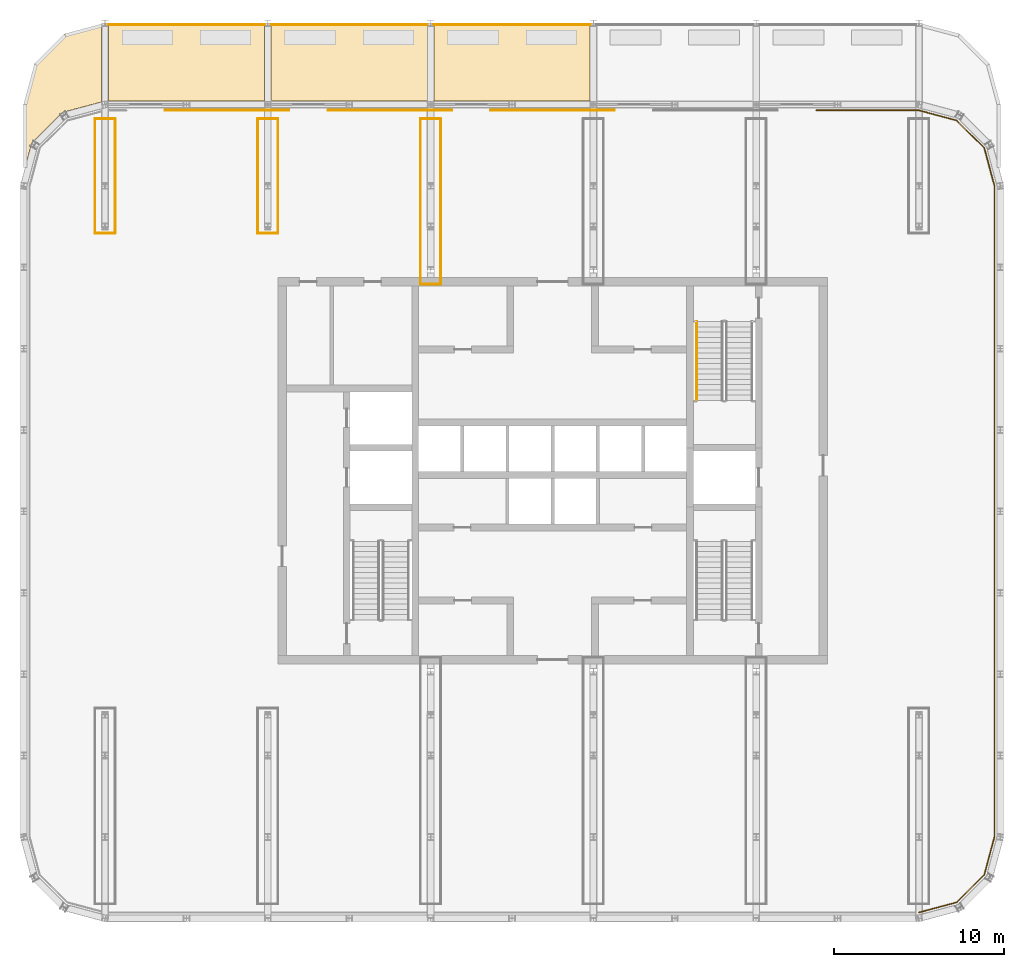
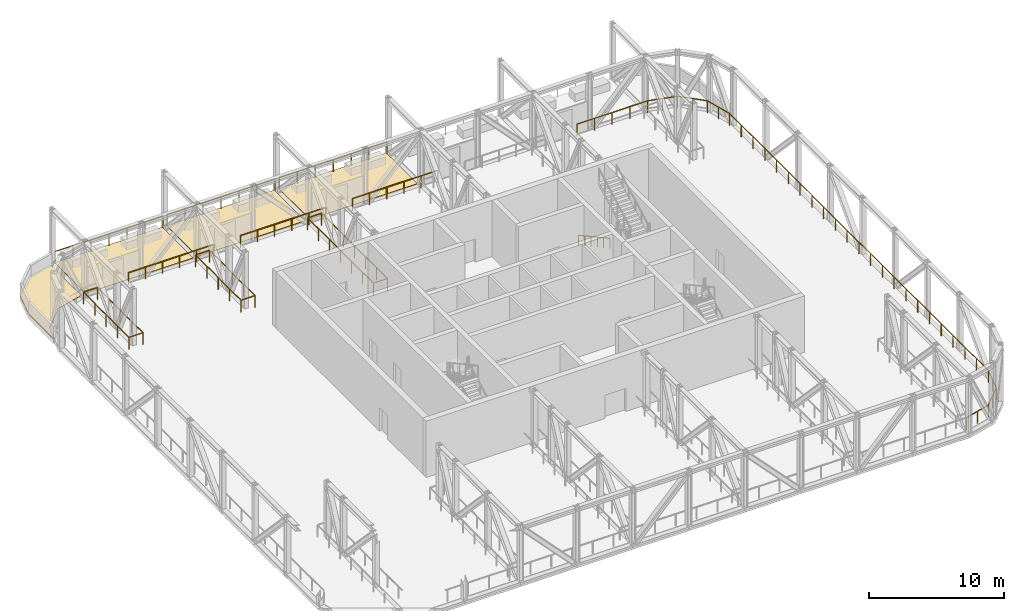
# One storey, part 14 of 16: 20 railings, 4 coverings.
"""IFC4 building model written with IfcOpenShell, lengths in metres."""

from ifc_helpers import new_model, si_unit, direction, frame, origin, origin_2d, place, context, subcontext, project, spatial, polyline, circle, outline, extrude, material, layer, layer_set, type_object, element, save


model = new_model("IFC4")

# Units and contexts
model_context = context("Model", 3, precision=1e-05, world=origin(), true_north=direction((0.0, 1.0)))
body_context = subcontext(model_context, "Body", "Model", "MODEL_VIEW")
ifc_project = project(units=[si_unit("LENGTHUNIT", "METRE"), si_unit("AREAUNIT", "SQUARE_METRE"), si_unit("VOLUMEUNIT", "CUBIC_METRE"), si_unit("PLANEANGLEUNIT", "RADIAN"), si_unit("MASSUNIT", "GRAM", prefix="KILO")], contexts=[model_context])

# Site, building, storey
site_placement = place(None, origin())
site = spatial("IfcSite", under=ifc_project, at=site_placement, CompositionType="ELEMENT")
building_placement = place(site_placement, origin())
building = spatial("IfcBuilding", under=site, at=building_placement, Name="Madar Terraces", CompositionType="ELEMENT")
storey_placement = place(building_placement, frame((0.0, 0.0, 263.199951171875)))
storey = spatial("IfcBuildingStorey", under=building, at=storey_placement, Name="L69", CompositionType="ELEMENT", Elevation=263.199951171875)

# Railings
ifc_material_1 = material(Name="Glass, safety glazing, with stainless steel posts", Category="steel")
railing_type_1 = type_object("IfcRailingType", Name="Balcony glass guard 1100", PredefinedType="GUARDRAIL", material=ifc_material_1)
railing_1_placement = place(storey_placement, frame((52.800048828125, 0.34814453125, 0.0)))
element("IfcRailing", 1, at=railing_1_placement, inside=storey, type_object=railing_type_1, Name="Gallery guard", PredefinedType="GUARDRAIL", context=body_context, shape_type="SweptSolid", body=[
    extrude(circle(Radius=0.02392578125, at=origin_2d()), frame((0.0, 0.0, 1.076171875), z_axis=(0.965922986505, 0.258829643088, 0.0), x_axis=(-0.258829643088, 0.965922986505, 0.0)), (0.0, 0.0, 1.0), 2.304443359375),
    extrude(circle(Radius=0.02392578125, at=origin_2d()), frame((2.225830078125, 0.596435546875, 1.076171875), z_axis=(0.707106781187, 0.707106781187, 0.0), x_axis=(-0.707106781187, 0.707106781187, 0.0)), (0.0, 0.0, 1.0), 2.3046875),
    extrude(circle(Radius=0.02392578125, at=origin_2d()), frame((3.85546875, 2.22607421875, 1.076171875), z_axis=(0.258829643088, 0.965922986505, 0.0), x_axis=(-0.965922986505, 0.258829643088, 0.0)), (0.0, 0.0, 1.0), 2.304443359375),
    extrude(circle(Radius=0.02392578125, at=origin_2d()), frame((4.451904296875, 4.451904296875, 1.076171875), z_axis=(0.0, 1.0, 0.0), x_axis=(-1.0, 0.0, 0.0)), (0.0, 0.0, 1.0), 38.39990234375),
    extrude(circle(Radius=0.02392578125, at=origin_2d()), frame((4.451904296875, 42.851806640625, 1.076171875), z_axis=(-0.258829643088, 0.965922986505, 0.0), x_axis=(-0.965922986505, -0.258829643088, 0.0)), (0.0, 0.0, 1.0), 2.304443359375),
    extrude(circle(Radius=0.02392578125, at=origin_2d()), frame((3.85546875, 45.07763671875, 1.076171875), z_axis=(-0.707106781187, 0.707106781187, 0.0), x_axis=(-0.707106781187, -0.707106781187, 0.0)), (0.0, 0.0, 1.0), 2.3046875),
    extrude(circle(Radius=0.02392578125, at=origin_2d()), frame((2.225830078125, 46.707275390625, 1.076171875), z_axis=(-0.965922986505, 0.258829643088, 0.0), x_axis=(-0.258829643088, -0.965922986505, 0.0)), (0.0, 0.0, 1.0), 2.304443359375),
    extrude(circle(Radius=0.02392578125, at=origin_2d()), frame((0.0, 47.3037109375, 1.076171875), z_axis=(-1.0, 0.0, 0.0), x_axis=(0.0, -1.0, 0.0)), (0.0, 0.0, 1.0), 6.0517578125),
    extrude(circle(Radius=0.02099609375, at=origin_2d()), origin(), (0.0, 0.0, 1.0), 1.052001953125),
    extrude(circle(Radius=0.02099609375, at=origin_2d()), frame((1.11279296875, 0.29833984375, 0.0)), (0.0, 0.0, 1.0), 1.052001953125),
    extrude(circle(Radius=0.02099609375, at=origin_2d()), frame((2.225830078125, 0.596435546875, 0.0)), (0.0, 0.0, 1.0), 1.052001953125),
    extrude(circle(Radius=0.02099609375, at=origin_2d()), frame((3.04052734375, 1.4111328125, 0.0)), (0.0, 0.0, 1.0), 1.052001953125),
    extrude(circle(Radius=0.02099609375, at=origin_2d()), frame((3.85546875, 2.22607421875, 0.0)), (0.0, 0.0, 1.0), 1.052001953125),
    extrude(circle(Radius=0.02099609375, at=origin_2d()), frame((4.15380859375, 3.3388671875, 0.0)), (0.0, 0.0, 1.0), 1.052001953125),
    extrude(circle(Radius=0.02099609375, at=origin_2d()), frame((4.451904296875, 4.451904296875, 0.0)), (0.0, 0.0, 1.0), 1.052001953125),
    extrude(circle(Radius=0.02099609375, at=origin_2d()), frame((4.451904296875, 6.197265625, 0.0)), (0.0, 0.0, 1.0), 1.052001953125),
    extrude(circle(Radius=0.02099609375, at=origin_2d()), frame((4.451904296875, 7.94287109375, 0.0)), (0.0, 0.0, 1.0), 1.052001953125),
    extrude(circle(Radius=0.02099609375, at=origin_2d()), frame((4.451904296875, 9.688232421875, 0.0)), (0.0, 0.0, 1.0), 1.052001953125),
    extrude(circle(Radius=0.02099609375, at=origin_2d()), frame((4.451904296875, 11.43359375, 0.0)), (0.0, 0.0, 1.0), 1.052001953125),
    extrude(circle(Radius=0.02099609375, at=origin_2d()), frame((4.451904296875, 13.17919921875, 0.0)), (0.0, 0.0, 1.0), 1.052001953125),
    extrude(circle(Radius=0.02099609375, at=origin_2d()), frame((4.451904296875, 14.924560546875, 0.0)), (0.0, 0.0, 1.0), 1.052001953125),
    extrude(circle(Radius=0.02099609375, at=origin_2d()), frame((4.451904296875, 16.670166015625, 0.0)), (0.0, 0.0, 1.0), 1.052001953125),
    extrude(circle(Radius=0.02099609375, at=origin_2d()), frame((4.451904296875, 18.41552734375, 0.0)), (0.0, 0.0, 1.0), 1.052001953125),
    extrude(circle(Radius=0.02099609375, at=origin_2d()), frame((4.451904296875, 20.160888671875, 0.0)), (0.0, 0.0, 1.0), 1.052001953125),
    extrude(circle(Radius=0.02099609375, at=origin_2d()), frame((4.451904296875, 21.906494140625, 0.0)), (0.0, 0.0, 1.0), 1.052001953125),
    extrude(circle(Radius=0.02099609375, at=origin_2d()), frame((4.451904296875, 23.65185546875, 0.0)), (0.0, 0.0, 1.0), 1.052001953125),
    extrude(circle(Radius=0.02099609375, at=origin_2d()), frame((4.451904296875, 25.397216796875, 0.0)), (0.0, 0.0, 1.0), 1.052001953125),
    extrude(circle(Radius=0.02099609375, at=origin_2d()), frame((4.451904296875, 27.142822265625, 0.0)), (0.0, 0.0, 1.0), 1.052001953125),
    extrude(circle(Radius=0.02099609375, at=origin_2d()), frame((4.451904296875, 28.88818359375, 0.0)), (0.0, 0.0, 1.0), 1.052001953125),
    extrude(circle(Radius=0.02099609375, at=origin_2d()), frame((4.451904296875, 30.633544921875, 0.0)), (0.0, 0.0, 1.0), 1.052001953125),
    extrude(circle(Radius=0.02099609375, at=origin_2d()), frame((4.451904296875, 32.379150390625, 0.0)), (0.0, 0.0, 1.0), 1.052001953125),
    extrude(circle(Radius=0.02099609375, at=origin_2d()), frame((4.451904296875, 34.12451171875, 0.0)), (0.0, 0.0, 1.0), 1.052001953125),
    extrude(circle(Radius=0.02099609375, at=origin_2d()), frame((4.451904296875, 35.8701171875, 0.0)), (0.0, 0.0, 1.0), 1.052001953125),
    extrude(circle(Radius=0.02099609375, at=origin_2d()), frame((4.451904296875, 37.615478515625, 0.0)), (0.0, 0.0, 1.0), 1.052001953125),
    extrude(circle(Radius=0.02099609375, at=origin_2d()), frame((4.451904296875, 39.36083984375, 0.0)), (0.0, 0.0, 1.0), 1.052001953125),
    extrude(circle(Radius=0.02099609375, at=origin_2d()), frame((4.451904296875, 41.1064453125, 0.0)), (0.0, 0.0, 1.0), 1.052001953125),
    extrude(circle(Radius=0.02099609375, at=origin_2d()), frame((4.451904296875, 42.851806640625, 0.0)), (0.0, 0.0, 1.0), 1.052001953125),
    extrude(circle(Radius=0.02099609375, at=origin_2d()), frame((4.15380859375, 43.96484375, 0.0)), (0.0, 0.0, 1.0), 1.052001953125),
    extrude(circle(Radius=0.02099609375, at=origin_2d()), frame((3.85546875, 45.07763671875, 0.0)), (0.0, 0.0, 1.0), 1.052001953125),
    extrude(circle(Radius=0.02099609375, at=origin_2d()), frame((3.04052734375, 45.892578125, 0.0)), (0.0, 0.0, 1.0), 1.052001953125),
    extrude(circle(Radius=0.02099609375, at=origin_2d()), frame((2.225830078125, 46.707275390625, 0.0)), (0.0, 0.0, 1.0), 1.052001953125),
    extrude(circle(Radius=0.02099609375, at=origin_2d()), frame((1.11279296875, 47.00537109375, 0.0)), (0.0, 0.0, 1.0), 1.052001953125),
    extrude(circle(Radius=0.02099609375, at=origin_2d()), frame((0.0, 47.3037109375, 0.0)), (0.0, 0.0, 1.0), 1.052001953125),
    extrude(circle(Radius=0.02099609375, at=origin_2d()), frame((-1.512939453125, 47.3037109375, 0.0)), (0.0, 0.0, 1.0), 1.052001953125),
    extrude(circle(Radius=0.02099609375, at=origin_2d()), frame((-3.02587890625, 47.3037109375, 0.0)), (0.0, 0.0, 1.0), 1.052001953125),
    extrude(circle(Radius=0.02099609375, at=origin_2d()), frame((-4.538818359375, 47.3037109375, 0.0)), (0.0, 0.0, 1.0), 1.052001953125),
    extrude(circle(Radius=0.02099609375, at=origin_2d()), frame((-6.0517578125, 47.3037109375, 0.0)), (0.0, 0.0, 1.0), 1.052001953125),
])
for number, where, name in (
    (2, (34.8515625, 47.65185546875, 0.0), "Gallery guard"),
    (3, (25.251708984375, 47.65185546875, 0.0), "Gallery guard"),
    (4, (15.651611328125, 47.65185546875, 0.0), "Gallery guard"),
):
    element("IfcRailing", number, at=place(storey_placement, frame(where)), inside=storey, type_object=railing_type_1, Name=name, PredefinedType="GUARDRAIL", context=body_context, shape_type="SweptSolid", body=[
        extrude(circle(Radius=0.02392578125, at=origin_2d()), frame((0.0, 0.0, 1.076171875), z_axis=(-1.0, 0.0, 0.0), x_axis=(0.0, -1.0, 0.0)), (0.0, 0.0, 1.0), 7.30322265625),
        extrude(circle(Radius=0.02099609375, at=origin_2d()), origin(), (0.0, 0.0, 1.0), 1.052001953125),
        extrude(circle(Radius=0.02099609375, at=origin_2d()), frame((-1.460693359375, 0.0, 0.0)), (0.0, 0.0, 1.0), 1.052001953125),
        extrude(circle(Radius=0.02099609375, at=origin_2d()), frame((-2.92138671875, 0.0, 0.0)), (0.0, 0.0, 1.0), 1.052001953125),
        extrude(circle(Radius=0.02099609375, at=origin_2d()), frame((-4.3818359375, 0.0, 0.0)), (0.0, 0.0, 1.0), 1.052001953125),
        extrude(circle(Radius=0.02099609375, at=origin_2d()), frame((-5.842529296875, 0.0, 0.0)), (0.0, 0.0, 1.0), 1.052001953125),
        extrude(circle(Radius=0.02099609375, at=origin_2d()), frame((-7.30322265625, 0.0, 0.0)), (0.0, 0.0, 1.0), 1.052001953125),
    ])
for number, where, name in (
    (5, (4.201904296875, 40.402099609375, 0.0), "Slot guard"),
    (6, (5.398193359375, 40.402099609375, 0.0), "Slot guard"),
):
    element("IfcRailing", number, at=place(storey_placement, frame(where)), inside=storey, type_object=railing_type_1, Name=name, PredefinedType="GUARDRAIL", context=body_context, shape_type="SweptSolid", body=[
        extrude(circle(Radius=0.02392578125, at=origin_2d()), frame((0.0, 0.0, 1.076171875), z_axis=(0.0, 1.0, 0.0), x_axis=(-1.0, 0.0, 0.0)), (0.0, 0.0, 1.0), 6.749755859375),
        extrude(circle(Radius=0.02099609375, at=origin_2d()), origin(), (0.0, 0.0, 1.0), 1.052001953125),
        extrude(circle(Radius=0.02099609375, at=origin_2d()), frame((0.0, 1.6875, 0.0)), (0.0, 0.0, 1.0), 1.052001953125),
        extrude(circle(Radius=0.02099609375, at=origin_2d()), frame((0.0, 3.375, 0.0)), (0.0, 0.0, 1.0), 1.052001953125),
        extrude(circle(Radius=0.02099609375, at=origin_2d()), frame((0.0, 5.062255859375, 0.0)), (0.0, 0.0, 1.0), 1.052001953125),
        extrude(circle(Radius=0.02099609375, at=origin_2d()), frame((0.0, 6.749755859375, 0.0)), (0.0, 0.0, 1.0), 1.052001953125),
    ])
for number, where, name in (
    (7, (4.201904296875, 40.402099609375, 0.0), "Slot guard"),
    (8, (4.201904296875, 47.15185546875, 0.0), "Slot guard"),
):
    element("IfcRailing", number, at=place(storey_placement, frame(where)), inside=storey, type_object=railing_type_1, Name=name, PredefinedType="GUARDRAIL", context=body_context, shape_type="SweptSolid", body=[
        extrude(circle(Radius=0.02392578125, at=origin_2d()), frame((0.0, 0.0, 1.076171875), z_axis=(1.0, 0.0, 0.0), x_axis=(0.0, 1.0, 0.0)), (0.0, 0.0, 1.0), 1.1962890625),
        extrude(circle(Radius=0.02099609375, at=origin_2d()), origin(), (0.0, 0.0, 1.0), 1.052001953125),
        extrude(circle(Radius=0.02099609375, at=origin_2d()), frame((1.1962890625, 0.0, 0.0)), (0.0, 0.0, 1.0), 1.052001953125),
    ])
for number, where, name in (
    (9, (13.802001953125, 40.402099609375, 0.0), "Slot guard"),
    (10, (14.998046875, 40.402099609375, 0.0), "Slot guard"),
):
    element("IfcRailing", number, at=place(storey_placement, frame(where)), inside=storey, type_object=railing_type_1, Name=name, PredefinedType="GUARDRAIL", context=body_context, shape_type="SweptSolid", body=[
        extrude(circle(Radius=0.02392578125, at=origin_2d()), frame((0.0, 0.0, 1.076171875), z_axis=(0.0, 1.0, 0.0), x_axis=(-1.0, 0.0, 0.0)), (0.0, 0.0, 1.0), 6.749755859375),
        extrude(circle(Radius=0.02099609375, at=origin_2d()), origin(), (0.0, 0.0, 1.0), 1.052001953125),
        extrude(circle(Radius=0.02099609375, at=origin_2d()), frame((0.0, 1.6875, 0.0)), (0.0, 0.0, 1.0), 1.052001953125),
        extrude(circle(Radius=0.02099609375, at=origin_2d()), frame((0.0, 3.375, 0.0)), (0.0, 0.0, 1.0), 1.052001953125),
        extrude(circle(Radius=0.02099609375, at=origin_2d()), frame((0.0, 5.062255859375, 0.0)), (0.0, 0.0, 1.0), 1.052001953125),
        extrude(circle(Radius=0.02099609375, at=origin_2d()), frame((0.0, 6.749755859375, 0.0)), (0.0, 0.0, 1.0), 1.052001953125),
    ])
for number, where, name in (
    (11, (13.802001953125, 40.402099609375, 0.0), "Slot guard"),
    (12, (13.802001953125, 47.15185546875, 0.0), "Slot guard"),
):
    element("IfcRailing", number, at=place(storey_placement, frame(where)), inside=storey, type_object=railing_type_1, Name=name, PredefinedType="GUARDRAIL", context=body_context, shape_type="SweptSolid", body=[
        extrude(circle(Radius=0.02392578125, at=origin_2d()), frame((0.0, 0.0, 1.076171875), z_axis=(1.0, 0.0, 0.0), x_axis=(0.0, 1.0, 0.0)), (0.0, 0.0, 1.0), 1.196044921875),
        extrude(circle(Radius=0.02099609375, at=origin_2d()), origin(), (0.0, 0.0, 1.0), 1.052001953125),
        extrude(circle(Radius=0.02099609375, at=origin_2d()), frame((1.196044921875, 0.0, 0.0)), (0.0, 0.0, 1.0), 1.052001953125),
    ])
for number, where, name in (
    (13, (23.40185546875, 37.402099609375, 0.0), "Slot guard"),
    (14, (24.59814453125, 37.402099609375, 0.0), "Slot guard"),
):
    element("IfcRailing", number, at=place(storey_placement, frame(where)), inside=storey, type_object=railing_type_1, Name=name, PredefinedType="GUARDRAIL", context=body_context, shape_type="SweptSolid", body=[
        extrude(circle(Radius=0.02392578125, at=origin_2d()), frame((0.0, 0.0, 1.076171875), z_axis=(0.0, 1.0, 0.0), x_axis=(-1.0, 0.0, 0.0)), (0.0, 0.0, 1.0), 9.749755859375),
        extrude(circle(Radius=0.02099609375, at=origin_2d()), origin(), (0.0, 0.0, 1.0), 1.052001953125),
        extrude(circle(Radius=0.02099609375, at=origin_2d()), frame((0.0, 1.625, 0.0)), (0.0, 0.0, 1.0), 1.052001953125),
        extrude(circle(Radius=0.02099609375, at=origin_2d()), frame((0.0, 3.25, 0.0)), (0.0, 0.0, 1.0), 1.052001953125),
        extrude(circle(Radius=0.02099609375, at=origin_2d()), frame((0.0, 4.875, 0.0)), (0.0, 0.0, 1.0), 1.052001953125),
        extrude(circle(Radius=0.02099609375, at=origin_2d()), frame((0.0, 6.499755859375, 0.0)), (0.0, 0.0, 1.0), 1.052001953125),
        extrude(circle(Radius=0.02099609375, at=origin_2d()), frame((0.0, 8.124755859375, 0.0)), (0.0, 0.0, 1.0), 1.052001953125),
        extrude(circle(Radius=0.02099609375, at=origin_2d()), frame((0.0, 9.749755859375, 0.0)), (0.0, 0.0, 1.0), 1.052001953125),
    ])
for number, where, name in (
    (15, (23.40185546875, 37.402099609375, 0.0), "Slot guard"),
    (16, (23.40185546875, 47.15185546875, 0.0), "Slot guard"),
):
    element("IfcRailing", number, at=place(storey_placement, frame(where)), inside=storey, type_object=railing_type_1, Name=name, PredefinedType="GUARDRAIL", context=body_context, shape_type="SweptSolid", body=[
        extrude(circle(Radius=0.02392578125, at=origin_2d()), frame((0.0, 0.0, 1.076171875), z_axis=(1.0, 0.0, 0.0), x_axis=(0.0, 1.0, 0.0)), (0.0, 0.0, 1.0), 1.1962890625),
        extrude(circle(Radius=0.02099609375, at=origin_2d()), origin(), (0.0, 0.0, 1.0), 1.052001953125),
        extrude(circle(Radius=0.02099609375, at=origin_2d()), frame((1.1962890625, 0.0, 0.0)), (0.0, 0.0, 1.0), 1.052001953125),
    ])
for number, where, name in (
    (17, (14.221923828125, 52.699951171875, 0.0400390625), "Terrace guard"),
    (18, (23.822021484375, 52.699951171875, 0.0400390625), "Terrace guard"),
    (19, (33.421875, 52.699951171875, 0.0400390625), "Terrace guard"),
):
    element("IfcRailing", number, at=place(storey_placement, frame(where)), inside=storey, type_object=railing_type_1, Name=name, PredefinedType="GUARDRAIL", context=body_context, shape_type="SweptSolid", body=[
        extrude(circle(Radius=0.02392578125, at=origin_2d()), frame((0.0, 0.0, 1.076171875), z_axis=(-1.0, 0.0, 0.0), x_axis=(0.0, -1.0, 0.0)), (0.0, 0.0, 1.0), 9.243896484375),
        extrude(circle(Radius=0.02099609375, at=origin_2d()), origin(), (0.0, 0.0, 1.0), 1.052001953125),
        extrude(circle(Radius=0.02099609375, at=origin_2d()), frame((-1.54052734375, 0.0, 0.0)), (0.0, 0.0, 1.0), 1.052001953125),
        extrude(circle(Radius=0.02099609375, at=origin_2d()), frame((-3.081298828125, 0.0, 0.0)), (0.0, 0.0, 1.0), 1.052001953125),
        extrude(circle(Radius=0.02099609375, at=origin_2d()), frame((-4.6220703125, 0.0, 0.0)), (0.0, 0.0, 1.0), 1.052001953125),
        extrude(circle(Radius=0.02099609375, at=origin_2d()), frame((-6.16259765625, 0.0, 0.0)), (0.0, 0.0, 1.0), 1.052001953125),
        extrude(circle(Radius=0.02099609375, at=origin_2d()), frame((-7.703125, 0.0, 0.0)), (0.0, 0.0, 1.0), 1.052001953125),
        extrude(circle(Radius=0.02099609375, at=origin_2d()), frame((-9.243896484375, 0.0, 0.0)), (0.0, 0.0, 1.0), 1.052001953125),
    ])
ifc_material_2 = material(Name="Stainless steel railing", Category="steel")
railing_type_2 = type_object("IfcRailingType", Name="Stair handrail 900", PredefinedType="HANDRAIL", material=ifc_material_2)
railing_2_placement = place(storey_placement, frame((39.699951171875, 35.199951171875, 0.168701171875)))
element("IfcRailing", 20, at=railing_2_placement, inside=storey, type_object=railing_type_2, Name="L69 ST2 stair handrail 1", PredefinedType="HANDRAIL", context=body_context, shape_type="SweptSolid", body=[
    extrude(circle(Radius=0.02392578125, at=origin_2d()), frame((0.0, 0.0, 0.8759765625), z_axis=(0.0, -0.878297076953, 0.478115304728), x_axis=(1.0, 0.0, 0.0)), (0.0, 0.0, 1.0), 5.294189453125),
    extrude(circle(Radius=0.02099609375, at=origin_2d()), origin(), (0.0, 0.0, 1.0), 0.851806640625),
    extrude(circle(Radius=0.02099609375, at=origin_2d()), frame((0.0, -0.929931640625, 0.50634765625)), (0.0, 0.0, 1.0), 0.851806640625),
    extrude(circle(Radius=0.02099609375, at=origin_2d()), frame((0.0, -1.85986328125, 1.012451171875)), (0.0, 0.0, 1.0), 0.851806640625),
    extrude(circle(Radius=0.02099609375, at=origin_2d()), frame((0.0, -2.7900390625, 1.518798828125)), (0.0, 0.0, 1.0), 0.851806640625),
    extrude(circle(Radius=0.02099609375, at=origin_2d()), frame((0.0, -3.719970703125, 2.02490234375)), (0.0, 0.0, 1.0), 0.851806640625),
    extrude(circle(Radius=0.02099609375, at=origin_2d()), frame((0.0, -4.64990234375, 2.53125)), (0.0, 0.0, 1.0), 0.851806640625),
])

# Coverings
ifc_material_3 = material(Name="Porcelain paving slabs on pedestals")
ifc_layer = layer(ifc_material_3, 0.0400390625)
ifc_layer_set = layer_set([ifc_layer], Name="Terrace paving 40")
covering_type = type_object("IfcCoveringType", Name="Terrace paving 40", PredefinedType="FLOORING", material=ifc_layer_set)
covering_1_placement = place(storey_placement, origin())
element("IfcCovering", 21, at=covering_1_placement, inside=storey, type_object=covering_type, Name="Terrace paving", PredefinedType="FLOORING", context=body_context, shape_type="SweptSolid", body=[
    extrude(outline(polyline([(0.0966796875, 44.32763671875), (0.0947265625, 44.322998046875), (0.09228515625, 44.318603515625), (0.089599609375, 44.314697265625), (0.086181640625, 44.310791015625), (0.082763671875, 44.3076171875), (0.078857421875, 44.304443359375), (0.07470703125, 44.3017578125), (0.0703125, 44.299560546875), (0.0654296875, 44.297607421875), (0.060791015625, 44.29638671875), (0.055908203125, 44.295654296875), (0.05078125, 44.29541015625), (0.0458984375, 44.29541015625), (0.041015625, 44.296142578125), (0.0361328125, 44.297119140625), (0.031494140625, 44.298828125), (0.027099609375, 44.30078125), (0.022705078125, 44.303466796875), (0.018798828125, 44.306396484375), (0.014892578125, 44.3095703125), (0.01171875, 44.313232421875), (0.008544921875, 44.317138671875), (0.006103515625, 44.3212890625), (0.00390625, 44.325927734375), (0.002197265625, 44.33056640625), (0.0009765625, 44.33544921875), (0.000244140625, 44.34033203125), (0.0, 44.34521484375), (0.0, 47.993408203125), (0.000244140625, 47.997802734375), (0.000732421875, 48.002197265625), (0.001708984375, 48.00634765625), (0.6396484375, 50.38720703125), (0.64111328125, 50.39208984375), (0.643310546875, 50.396728515625), (0.64599609375, 50.4013671875), (0.64892578125, 50.405517578125), (0.652587890625, 50.409423828125), (2.390380859375, 52.1474609375), (2.394287109375, 52.15087890625), (2.398681640625, 52.154052734375), (2.4033203125, 52.156494140625), (2.407958984375, 52.15869140625), (2.412841796875, 52.160400390625), (4.538818359375, 52.72998046875), (4.543701171875, 52.731201171875), (4.54833984375, 52.731689453125), (4.55322265625, 52.731689453125), (4.55810546875, 52.7314453125), (4.562744140625, 52.73046875), (4.5673828125, 52.729248046875), (4.572021484375, 52.7275390625), (4.576416015625, 52.725341796875), (4.580322265625, 52.722900390625), (4.584228515625, 52.719970703125), (4.587646484375, 52.716552734375), (4.5908203125, 52.712890625), (4.59375, 52.708984375), (4.59619140625, 52.704833984375), (4.59814453125, 52.70068359375), (4.599853515625, 52.696044921875), (4.60107421875, 52.69140625), (4.6015625, 52.6865234375), (4.601806640625, 52.681884765625), (4.601806640625, 48.1904296875), (4.6015625, 48.185302734375), (4.600830078125, 48.180419921875), (4.599609375, 48.175537109375), (4.597900390625, 48.1708984375), (4.595703125, 48.166259765625), (4.593017578125, 48.162109375), (4.590087890625, 48.157958984375), (4.58642578125, 48.154296875), (4.582763671875, 48.15087890625), (4.57861328125, 48.148193359375), (4.57421875, 48.145751953125), (4.569580078125, 48.1435546875), (4.564697265625, 48.14208984375), (2.298583984375, 47.534912109375), (2.297607421875, 47.534423828125), (2.29638671875, 47.53369140625), (0.46630859375, 45.70361328125), (0.465576171875, 45.702392578125), (0.465087890625, 45.701416015625), (0.098388671875, 44.332275390625), (0.0966796875, 44.32763671875)])), origin(), (0.0, 0.0, 1.0), 0.0400390625),
])
covering_2_placement = place(storey_placement, origin())
element("IfcCovering", 22, at=covering_2_placement, inside=storey, type_object=covering_type, Name="Terrace paving", PredefinedType="FLOORING", context=body_context, shape_type="SweptSolid", body=[
    extrude(outline(polyline([(14.16650390625, 52.7978515625), (14.1708984375, 52.796142578125), (14.17529296875, 52.794189453125), (14.1796875, 52.79150390625), (14.18359375, 52.788818359375), (14.187255859375, 52.785400390625), (14.1904296875, 52.78173828125), (14.193603515625, 52.77783203125), (14.196044921875, 52.773681640625), (14.197998046875, 52.76904296875), (14.19970703125, 52.764404296875), (14.200927734375, 52.759765625), (14.20166015625, 52.7548828125), (14.201904296875, 52.75), (14.201904296875, 48.248046875), (14.20166015625, 48.2431640625), (14.200927734375, 48.23828125), (14.19970703125, 48.233642578125), (14.197998046875, 48.22900390625), (14.196044921875, 48.224609375), (14.193603515625, 48.22021484375), (14.1904296875, 48.21630859375), (14.187255859375, 48.212890625), (14.18359375, 48.20947265625), (14.1796875, 48.20654296875), (14.17529296875, 48.2041015625), (14.1708984375, 48.201904296875), (14.16650390625, 48.2001953125), (14.16162109375, 48.19921875), (14.15673828125, 48.198486328125), (14.15185546875, 48.197998046875), (5.048095703125, 48.197998046875), (5.043212890625, 48.198486328125), (5.038330078125, 48.19921875), (5.03369140625, 48.2001953125), (5.029052734375, 48.201904296875), (5.024658203125, 48.2041015625), (5.020263671875, 48.20654296875), (5.016357421875, 48.20947265625), (5.0126953125, 48.212890625), (5.009521484375, 48.21630859375), (5.006591796875, 48.22021484375), (5.00390625, 48.224609375), (5.001953125, 48.22900390625), (5.000244140625, 48.233642578125), (4.9990234375, 48.23828125), (4.998291015625, 48.2431640625), (4.998046875, 48.248046875), (4.998046875, 52.75), (4.998291015625, 52.7548828125), (4.9990234375, 52.759765625), (5.000244140625, 52.764404296875), (5.001953125, 52.76904296875), (5.00390625, 52.773681640625), (5.006591796875, 52.77783203125), (5.009521484375, 52.78173828125), (5.0126953125, 52.785400390625), (5.016357421875, 52.788818359375), (5.020263671875, 52.79150390625), (5.024658203125, 52.794189453125), (5.029052734375, 52.796142578125), (5.03369140625, 52.7978515625), (5.038330078125, 52.799072265625), (5.043212890625, 52.7998046875), (5.048095703125, 52.800048828125), (14.15185546875, 52.800048828125), (14.15673828125, 52.7998046875), (14.16162109375, 52.799072265625), (14.16650390625, 52.7978515625)])), origin(), (0.0, 0.0, 1.0), 0.0400390625),
])
covering_3_placement = place(storey_placement, origin())
element("IfcCovering", 23, at=covering_3_placement, inside=storey, type_object=covering_type, Name="Terrace paving", PredefinedType="FLOORING", context=body_context, shape_type="SweptSolid", body=[
    extrude(outline(polyline([(23.766357421875, 52.7978515625), (23.77099609375, 52.796142578125), (23.775390625, 52.794189453125), (23.77978515625, 52.79150390625), (23.78369140625, 52.788818359375), (23.787109375, 52.785400390625), (23.79052734375, 52.78173828125), (23.79345703125, 52.77783203125), (23.7958984375, 52.773681640625), (23.798095703125, 52.76904296875), (23.7998046875, 52.764404296875), (23.80078125, 52.759765625), (23.801513671875, 52.7548828125), (23.802001953125, 52.75), (23.802001953125, 48.248046875), (23.801513671875, 48.2431640625), (23.80078125, 48.23828125), (23.7998046875, 48.233642578125), (23.798095703125, 48.22900390625), (23.7958984375, 48.224609375), (23.79345703125, 48.22021484375), (23.79052734375, 48.21630859375), (23.787109375, 48.212890625), (23.78369140625, 48.20947265625), (23.77978515625, 48.20654296875), (23.775390625, 48.2041015625), (23.77099609375, 48.201904296875), (23.766357421875, 48.2001953125), (23.76171875, 48.19921875), (23.7568359375, 48.198486328125), (23.751953125, 48.197998046875), (14.648193359375, 48.197998046875), (14.643310546875, 48.198486328125), (14.638427734375, 48.19921875), (14.633544921875, 48.2001953125), (14.62890625, 48.201904296875), (14.62451171875, 48.2041015625), (14.620361328125, 48.20654296875), (14.616455078125, 48.20947265625), (14.61279296875, 48.212890625), (14.609619140625, 48.21630859375), (14.6064453125, 48.22021484375), (14.60400390625, 48.224609375), (14.601806640625, 48.22900390625), (14.600341796875, 48.233642578125), (14.59912109375, 48.23828125), (14.598388671875, 48.2431640625), (14.59814453125, 48.248046875), (14.59814453125, 52.75), (14.598388671875, 52.7548828125), (14.59912109375, 52.759765625), (14.600341796875, 52.764404296875), (14.601806640625, 52.76904296875), (14.60400390625, 52.773681640625), (14.6064453125, 52.77783203125), (14.609619140625, 52.78173828125), (14.61279296875, 52.785400390625), (14.616455078125, 52.788818359375), (14.620361328125, 52.79150390625), (14.62451171875, 52.794189453125), (14.62890625, 52.796142578125), (14.633544921875, 52.7978515625), (14.638427734375, 52.799072265625), (14.643310546875, 52.7998046875), (14.648193359375, 52.800048828125), (23.751953125, 52.800048828125), (23.7568359375, 52.7998046875), (23.76171875, 52.799072265625), (23.766357421875, 52.7978515625)])), origin(), (0.0, 0.0, 1.0), 0.0400390625),
])
covering_4_placement = place(storey_placement, origin())
element("IfcCovering", 24, at=covering_4_placement, inside=storey, type_object=covering_type, Name="Terrace paving", PredefinedType="FLOORING", context=body_context, shape_type="SweptSolid", body=[
    extrude(outline(polyline([(33.366455078125, 52.7978515625), (33.37109375, 52.796142578125), (33.37548828125, 52.794189453125), (33.379638671875, 52.79150390625), (33.383544921875, 52.788818359375), (33.38720703125, 52.785400390625), (33.390380859375, 52.78173828125), (33.3935546875, 52.77783203125), (33.39599609375, 52.773681640625), (33.398193359375, 52.76904296875), (33.399658203125, 52.764404296875), (33.40087890625, 52.759765625), (33.401611328125, 52.7548828125), (33.40185546875, 52.75), (33.40185546875, 48.248046875), (33.401611328125, 48.2431640625), (33.40087890625, 48.23828125), (33.399658203125, 48.233642578125), (33.398193359375, 48.22900390625), (33.39599609375, 48.224609375), (33.3935546875, 48.22021484375), (33.390380859375, 48.21630859375), (33.38720703125, 48.212890625), (33.383544921875, 48.20947265625), (33.379638671875, 48.20654296875), (33.37548828125, 48.2041015625), (33.37109375, 48.201904296875), (33.366455078125, 48.2001953125), (33.361572265625, 48.19921875), (33.356689453125, 48.198486328125), (33.351806640625, 48.197998046875), (24.248046875, 48.197998046875), (24.2431640625, 48.198486328125), (24.23828125, 48.19921875), (24.233642578125, 48.2001953125), (24.22900390625, 48.201904296875), (24.224609375, 48.2041015625), (24.22021484375, 48.20654296875), (24.21630859375, 48.20947265625), (24.212890625, 48.212890625), (24.20947265625, 48.21630859375), (24.20654296875, 48.22021484375), (24.2041015625, 48.224609375), (24.201904296875, 48.22900390625), (24.2001953125, 48.233642578125), (24.19921875, 48.23828125), (24.198486328125, 48.2431640625), (24.197998046875, 48.248046875), (24.197998046875, 52.75), (24.198486328125, 52.7548828125), (24.19921875, 52.759765625), (24.2001953125, 52.764404296875), (24.201904296875, 52.76904296875), (24.2041015625, 52.773681640625), (24.20654296875, 52.77783203125), (24.20947265625, 52.78173828125), (24.212890625, 52.785400390625), (24.21630859375, 52.788818359375), (24.22021484375, 52.79150390625), (24.224609375, 52.794189453125), (24.22900390625, 52.796142578125), (24.233642578125, 52.7978515625), (24.23828125, 52.799072265625), (24.2431640625, 52.7998046875), (24.248046875, 52.800048828125), (33.351806640625, 52.800048828125), (33.356689453125, 52.7998046875), (33.361572265625, 52.799072265625), (33.366455078125, 52.7978515625)])), origin(), (0.0, 0.0, 1.0), 0.0400390625),
])

save(model, "model.ifc")
